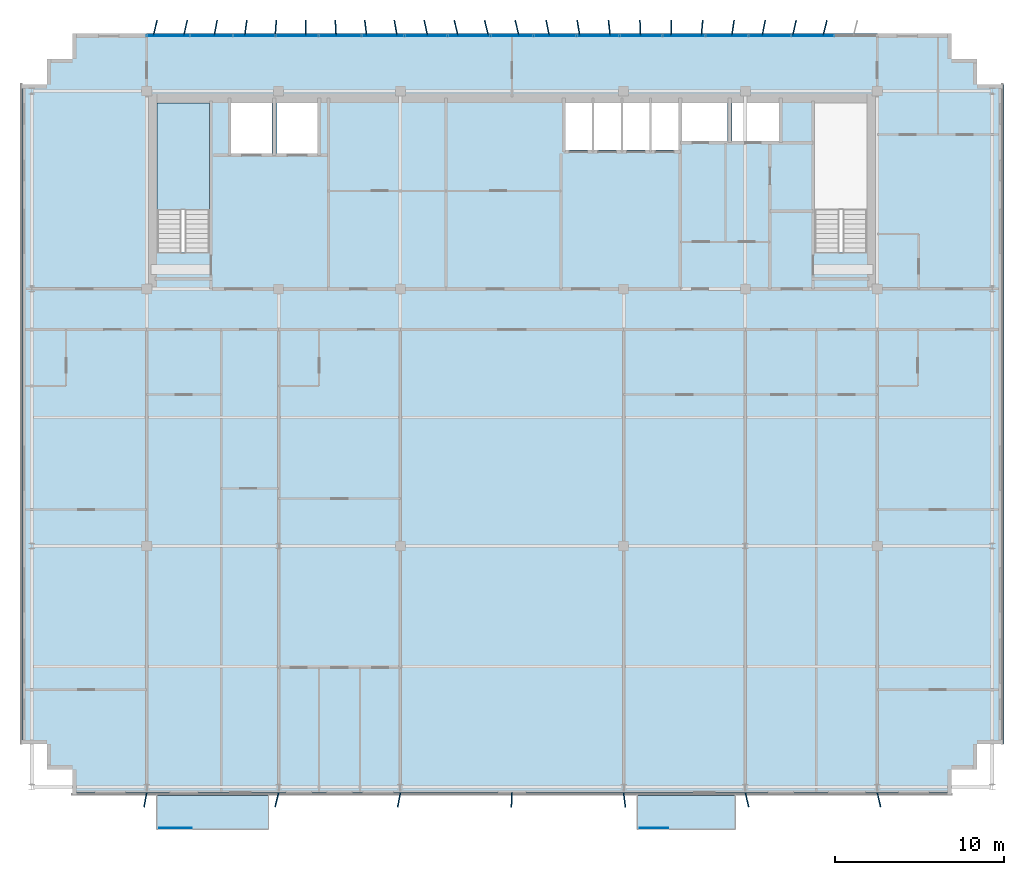
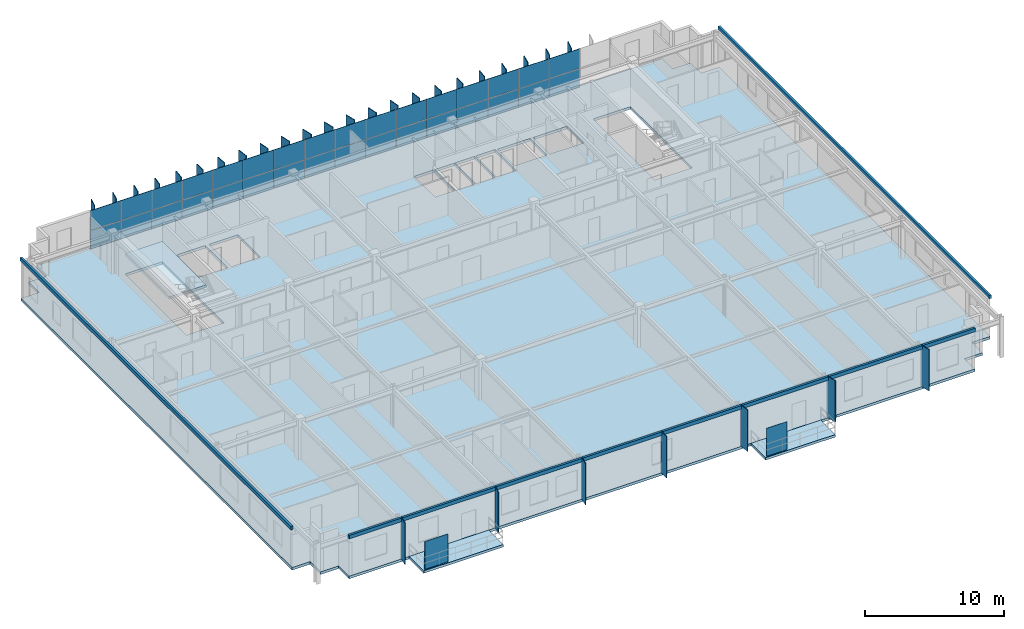
# One storey, part 15 of 22: 67 plates, 4 slabs, 2 elements without a shape of their own.
"""IFC4 building model written with IfcOpenShell, lengths in metres."""

from ifc_helpers import new_model, si_unit, direction, frame, origin, origin_2d, place, context, subcontext, project, spatial, polyline, rectangle, outline, extrude, source, transform, mapped, material, layer, layer_set, type_object, element, aggregate, save


model = new_model("IFC4")

# Units and contexts
model_context = context("Model", 3, precision=1e-05, world=origin(), true_north=direction((0.0, 1.0)))
body_context = subcontext(model_context, "Body", "Model", "MODEL_VIEW")
ifc_project = project(units=[si_unit("LENGTHUNIT", "METRE"), si_unit("AREAUNIT", "SQUARE_METRE"), si_unit("VOLUMEUNIT", "CUBIC_METRE"), si_unit("PLANEANGLEUNIT", "RADIAN"), si_unit("MASSUNIT", "GRAM", prefix="KILO")], contexts=[model_context])

# Site, building, storey
site_placement = place(None, origin())
site = spatial("IfcSite", under=ifc_project, at=site_placement, CompositionType="ELEMENT")
building_placement = place(site_placement, origin())
building = spatial("IfcBuilding", under=site, at=building_placement, Name="Trelvane Seafront Commons", CompositionType="ELEMENT")
storey_placement = place(building_placement, frame((0.0, 0.0, 270.300048828125)))
storey = spatial("IfcBuildingStorey", under=building, at=storey_placement, Name="L70", CompositionType="ELEMENT", Elevation=270.300048828125)

# Slabs
ifc_material_1 = material(Name="Concrete C40/50", Category="concrete")
ifc_layer_1 = layer(ifc_material_1, 0.219970703125, Name="ARCH-BALC-220")
ifc_layer_set_1 = layer_set([ifc_layer_1], Name="Concrete C40/50")
slab_type_1 = type_object("IfcSlabType", Name="ARCH-BALC-220", PredefinedType="FLOOR", material=ifc_layer_set_1)
slab_1_placement = place(storey_placement, frame((0.0, 0.0, -0.219970703125)))
element("IfcSlab", 1, at=slab_1_placement, inside=storey, type_object=slab_type_1, Name="L70 Cantilevered Tree Balcony Loggia 1", PredefinedType="FLOOR", context=body_context, shape_type="SweptSolid", body=[
    extrude(outline(polyline([(16.199951171875, 1.39990234375), (22.800048828125, 1.39990234375), (22.800048828125, 3.5), (16.199951171875, 3.5), (16.199951171875, 1.39990234375)])), origin(), (0.0, 0.0, 1.0), 0.219970703125),
])
slab_2_placement = place(storey_placement, frame((0.0, 0.0, -0.219970703125)))
element("IfcSlab", 2, at=slab_2_placement, inside=storey, type_object=slab_type_1, Name="L70 Cantilevered Tree Balcony Loggia 2", PredefinedType="FLOOR", context=body_context, shape_type="SweptSolid", body=[
    extrude(outline(polyline([(44.60009765625, 1.39990234375), (50.39990234375, 1.39990234375), (50.39990234375, 3.5), (44.60009765625, 3.5), (44.60009765625, 1.39990234375)])), origin(), (0.0, 0.0, 1.0), 0.219970703125),
])

# Stair, slab
stair_type = type_object("IfcStairType", Name="ARCH-STR-ST-1-R20-180", PredefinedType="HALF_TURN_STAIR", material=ifc_material_1)
stair_placement = place(storey_placement, origin())
stair = element("IfcStair", 3, at=stair_placement, inside=storey, type_object=stair_type, Name="L70 West Protected Firefighting Exit Stair ST-1", PredefinedType="HALF_TURN_STAIR")
ifc_layer_2 = layer(ifc_material_1, 0.199951171875, Name="ARCH-LND-200")
ifc_layer_set_2 = layer_set([ifc_layer_2], Name="Concrete C40/50")
slab_type_2 = type_object("IfcSlabType", Name="ARCH-LND-200", PredefinedType="LANDING", material=ifc_layer_set_2)
slab_3_placement = place(storey_placement, frame((0.0, 0.0, 1.599853515625)))
slab_3 = element("IfcSlab", 4, at=slab_3_placement, type_object=slab_type_2, Name="ST-1 landing 1", PredefinedType="LANDING", context=body_context, shape_type="SweptSolid", body=[
    extrude(outline(polyline([(19.300048828125, 38.070068359375), (19.300048828125, 44.39990234375), (16.199951171875, 44.39990234375), (16.199951171875, 38.070068359375), (19.300048828125, 38.070068359375)])), origin(), (0.0, 0.0, 1.0), 0.2001953125),
])
aggregate(stair, [slab_3])

# Slab
ifc_material_2 = material(Name="Concrete C50/60", Category="concrete")
ifc_layer_3 = layer(ifc_material_2, 0.22998046875, Name="STR-SLB-Z5-230")
ifc_layer_set_3 = layer_set([ifc_layer_3], Name="Concrete C50/60")
slab_type_3 = type_object("IfcSlabType", Name="STR-SLB-Z5-230", PredefinedType="FLOOR", material=ifc_layer_set_3)
slab_4_placement = place(storey_placement, frame((0.0, 0.0, -0.22998046875)))
element("IfcSlab", 5, at=slab_4_placement, inside=storey, type_object=slab_type_3, Name="L70 Structural Floor Slab", PredefinedType="FLOOR", context=body_context, shape_type="SweptSolid", body=[
    extrude(outline(polyline([(11.199951171875, 3.5), (63.199951171875, 3.5), (63.199951171875, 5.0), (64.699951171875, 5.0), (64.699951171875, 6.5), (66.199951171875, 6.5), (66.199951171875, 45.5), (64.699951171875, 45.5), (64.699951171875, 47.0), (63.199951171875, 47.0), (63.199951171875, 48.5), (11.199951171875, 48.5), (11.199951171875, 47.0), (9.699951171875, 47.0), (9.699951171875, 45.5), (8.199951171875, 45.5), (8.199951171875, 6.5), (9.699951171875, 6.5), (9.699951171875, 5.0), (11.199951171875, 5.0), (11.199951171875, 3.5)]), holes=[polyline([(19.300048828125, 35.550048828125), (16.199951171875, 35.550048828125), (16.199951171875, 44.39990234375), (19.300048828125, 44.39990234375), (19.300048828125, 35.550048828125)]), polyline([(58.199951171875, 35.550048828125), (55.10009765625, 35.550048828125), (55.10009765625, 44.39990234375), (58.199951171875, 44.39990234375), (58.199951171875, 35.550048828125)]), polyline([(23.0, 41.39990234375), (20.60009765625, 41.39990234375), (20.60009765625, 44.60009765625), (23.0, 44.60009765625), (23.0, 41.39990234375)]), polyline([(23.300048828125, 41.39990234375), (23.300048828125, 44.60009765625), (25.699951171875, 44.60009765625), (25.699951171875, 41.39990234375), (23.300048828125, 41.39990234375)]), polyline([(40.35009765625, 41.60009765625), (40.35009765625, 44.60009765625), (41.969970703125, 44.60009765625), (41.969970703125, 41.60009765625), (40.35009765625, 41.60009765625)]), polyline([(43.669921875, 41.60009765625), (42.050048828125, 41.60009765625), (42.050048828125, 44.60009765625), (43.669921875, 44.60009765625), (43.669921875, 41.60009765625)]), polyline([(45.3701171875, 41.60009765625), (43.75, 41.60009765625), (43.75, 44.60009765625), (45.3701171875, 44.60009765625), (45.3701171875, 41.60009765625)]), polyline([(47.070068359375, 41.60009765625), (45.449951171875, 41.60009765625), (45.449951171875, 44.60009765625), (47.070068359375, 44.60009765625), (47.070068359375, 41.60009765625)]), polyline([(47.25, 42.14990234375), (47.25, 44.550048828125), (49.949951171875, 44.550048828125), (49.949951171875, 42.14990234375), (47.25, 42.14990234375)]), polyline([(50.199951171875, 42.14990234375), (50.199951171875, 44.550048828125), (53.0, 44.550048828125), (53.0, 42.14990234375), (50.199951171875, 42.14990234375)])]), origin(), (0.0, 0.0, 1.0), 0.22998046875),
])

# Plates
ifc_material_3 = material(Name="Perforated anodised aluminium screen", Category="aluminium")
ifc_layer_4 = layer(ifc_material_3, 0.01611328125, Name="ARCH-PLATE-SCREEN")
ifc_layer_set_4 = layer_set([ifc_layer_4], Name="Perforated anodised aluminium screen")
plate_type_1 = type_object("IfcPlateType", Name="ARCH-PLATE-SCREEN", PredefinedType="USERDEFINED", material=ifc_layer_set_4)
shared_shape_1 = source(origin(), body_context, "Body", "SweptSolid", [
    extrude(rectangle(XDim=1.9140625, YDim=0.01611328125, at=origin_2d()), origin(), (0.0, 0.0, 1.0), 2.449951171875),
])
plate_1_placement = place(storey_placement, frame((17.306884765625, 1.52001953125, 0.0), z_axis=(0.0, 0.0, 1.0), x_axis=(1.0, 0.0, 0.0)))
element("IfcPlate", 6, at=plate_1_placement, inside=storey, type_object=plate_type_1, Name="SCR-L70-00243", ObjectType="SCREEN", PredefinedType="USERDEFINED", context=body_context, shape_type="MappedRepresentation", body=[
    mapped(shared_shape_1, transform((0.0, 0.0, 0.0), x_axis=(1.0, 0.0, 0.0), y_axis=(0.0, 1.0, 0.0), z_axis=(0.0, 0.0, 1.0), scale=1.0)),
])
shared_shape_2 = source(origin(), body_context, "Body", "SweptSolid", [
    extrude(rectangle(XDim=1.681884765625, YDim=0.01611328125, at=origin_2d()), origin(), (0.0, 0.0, 1.0), 2.449951171875),
])
plate_2_placement = place(storey_placement, frame((45.591064453125, 1.52001953125, 0.0), z_axis=(0.0, 0.0, 1.0), x_axis=(1.0, 0.0, 0.0)))
element("IfcPlate", 7, at=plate_2_placement, inside=storey, type_object=plate_type_1, Name="SCR-L70-00244", ObjectType="SCREEN", PredefinedType="USERDEFINED", context=body_context, shape_type="MappedRepresentation", body=[
    mapped(shared_shape_2, transform((0.0, 0.0, 0.0), x_axis=(1.0, 0.0, 0.0), y_axis=(0.0, 1.0, 0.0), z_axis=(0.0, 0.0, 1.0), scale=1.0)),
])
ifc_material_4 = material(Name="Anodised pale-silver aluminium", Category="aluminium")
ifc_layer_5 = layer(ifc_material_4, 0.06005859375, Name="ARCH-PLATE-FIN900")
ifc_layer_set_5 = layer_set([ifc_layer_5], Name="Anodised pale-silver aluminium")
plate_type_2 = type_object("IfcPlateType", Name="ARCH-PLATE-FIN900", PredefinedType="USERDEFINED", material=ifc_layer_set_5)
shared_shape_3 = source(origin(), body_context, "Body", "SweptSolid", [
    extrude(rectangle(XDim=0.89990234375, YDim=0.06005859375, at=origin_2d()), origin(), (0.0, 0.0, 1.0), 3.639892578125),
])
for number, where, z_axis, x_axis, name in (
    (8, (16.107421875, 48.8369140625, -0.02001953125), (0.0, 0.0, 1.0), (0.238769048477, 0.971076382933, 0.0), "FIN-L70-01942"),
    (9, (17.898681640625, 48.839111328125, -0.02001953125), (0.0, 0.0, 1.0), (0.219670830017, 0.975574049696, 0.0), "FIN-L70-01943"),
    (10, (19.682861328125, 48.84228515625, -0.02001953125), (0.0, 0.0, 1.0), (0.184328757123, 0.982864644444, 0.0), "FIN-L70-01944"),
    (11, (21.4609375, 48.845703125, -0.02001953125), (0.0, 0.0, 1.0), (0.135227926921, 0.990814517345, 0.0), "FIN-L70-01945"),
    (12, (23.23388671875, 48.8486328125, -0.02001953125), (0.0, 0.0, 1.0), (0.075667913751, 0.997133073781, 0.0), "FIN-L70-01946"),
    (13, (25.004638671875, 48.85009765625, -0.02001953125), (0.0, 0.0, 1.0), (0.010222215394, 0.999947751791, 0.0), "FIN-L70-01947"),
    (14, (26.77490234375, 48.849365234375, -0.02001953125), (0.0, 0.0, 1.0), (-0.055999250111, 0.998430810816, 0.0), "FIN-L70-01948"),
    (15, (28.547119140625, 48.846923828125, -0.02001953125), (0.0, 0.0, 1.0), (-0.117781779528, 0.993039501939, 0.0), "FIN-L70-01949"),
    (16, (30.3232421875, 48.843505859375, -0.02001953125), (0.0, 0.0, 1.0), (-0.170558620305, 0.985347531097, 0.0), "FIN-L70-01950"),
    (17, (32.105224609375, 48.83984375, -0.02001953125), (0.0, 0.0, 1.0), (-0.210454697452, 0.977603611041, 0.0), "FIN-L70-01951"),
    (18, (35.691162109375, 48.836669921875, -0.02001953125), (0.0, 0.0, 1.0), (-0.241881251735, 0.970305859025, 0.0), "FIN-L70-01953"),
    (19, (37.495849609375, 48.837890625, -0.02001953125), (0.0, 0.0, 1.0), (-0.231330219854, 0.972875289738, 0.0), "FIN-L70-01954"),
    (20, (39.308349609375, 48.840576171875, -0.02001953125), (0.0, 0.0, 1.0), (-0.203887805671, 0.97899426081, 0.0), "FIN-L70-01955"),
    (21, (41.12744140625, 48.843994140625, -0.02001953125), (0.0, 0.0, 1.0), (-0.161335122565, 0.98689967992, 0.0), "FIN-L70-01956"),
    (22, (42.9521484375, 48.847412109375, -0.02001953125), (0.0, 0.0, 1.0), (-0.10644282067, 0.99431882509, 0.0), "FIN-L70-01957"),
    (23, (44.780517578125, 48.849609375, -0.02001953125), (0.0, 0.0, 1.0), (-0.04344153253, 0.99905597103, 0.0), "FIN-L70-01958"),
    (24, (46.6103515625, 48.849853515625, -0.02001953125), (0.0, 0.0, 1.0), (0.023109592502, 0.999732937706, 0.0), "FIN-L70-01959"),
    (25, (48.439453125, 48.848388671875, -0.02001953125), (0.0, 0.0, 1.0), (0.0877799145, 0.996139893093, 0.0), "FIN-L70-01960"),
    (26, (50.265380859375, 48.84521484375, -0.02001953125), (0.0, 0.0, 1.0), (0.145558119819, 0.989349702459, 0.0), "FIN-L70-01961"),
    (27, (52.086669921875, 48.841552734375, -0.02001953125), (0.0, 0.0, 1.0), (0.192331855568, 0.981329943156, 0.0), "FIN-L70-01962"),
    (28, (53.901123046875, 48.83837890625, -0.02001953125), (0.0, 0.0, 1.0), (0.224665344453, 0.974435981993, 0.0), "FIN-L70-01963"),
    (29, (55.708251953125, 48.8369140625, -0.02001953125), (0.0, 0.0, 1.0), (0.240443202498, 0.970663209549, 0.0), "FIN-L70-01964"),
):
    element("IfcPlate", number, at=place(storey_placement, frame(where, z_axis=z_axis, x_axis=x_axis)), inside=storey, type_object=plate_type_2, Name=name, ObjectType="FIN", PredefinedType="USERDEFINED", context=body_context, shape_type="MappedRepresentation", body=[
        mapped(shared_shape_3, transform((0.0, 0.0, 0.0), x_axis=(1.0, 0.0, 0.0), y_axis=(0.0, 1.0, 0.0), z_axis=(0.0, 0.0, 1.0), scale=1.0)),
    ])
shared_shape_4 = source(origin(), body_context, "Body", "SweptSolid", [
    extrude(rectangle(XDim=0.900146484375, YDim=0.06005859375, at=origin_2d()), origin(), (0.0, 0.0, 1.0), 3.639892578125),
])
plate_3_placement = place(storey_placement, frame((33.894287109375, 48.83740234375, -0.02001953125), z_axis=(0.0, 0.0, 1.0), x_axis=(-0.234763799894, 0.972052446249, 0.0)))
element("IfcPlate", 30, at=plate_3_placement, inside=storey, type_object=plate_type_2, Name="FIN-L70-01952", ObjectType="FIN", PredefinedType="USERDEFINED", context=body_context, shape_type="MappedRepresentation", body=[
    mapped(shared_shape_4, transform((0.0, 0.0, 0.0), x_axis=(1.0, 0.0, 0.0), y_axis=(0.0, 1.0, 0.0), z_axis=(0.0, 0.0, 1.0), scale=1.0)),
])
shared_shape_5 = source(origin(), body_context, "Body", "SweptSolid", [
    extrude(rectangle(XDim=0.85009765625, YDim=0.06005859375, at=origin_2d()), origin(), (0.0, 0.0, 1.0), 3.639892578125),
])
for number, where, z_axis, x_axis, name in (
    (31, (15.521484375, 3.182373046875, -0.02001953125), (0.0, 0.0, 1.0), (-0.184586064165, -0.982816353606, 0.0), "FIN-S-L70-01966"),
    (32, (23.297119140625, 3.1875, -0.02001953125), (0.0, 0.0, 1.0), (-0.241871090703, -0.970308391947, 0.0), "FIN-S-L70-01967"),
    (33, (30.5205078125, 3.1826171875, -0.02001953125), (0.0, 0.0, 1.0), (-0.187057280024, -0.98234900824, 0.0), "FIN-S-L70-01968"),
    (34, (37.181640625, 3.17529296875, -0.02001953125), (0.0, 0.0, 1.0), (-0.043411889924, -0.999057259527, 0.0), "FIN-S-L70-01969"),
    (35, (43.8515625, 3.17822265625, -0.02001953125), (0.0, 0.0, 1.0), (0.121413730466, -0.992601987734, 0.0), "FIN-S-L70-01970"),
    (36, (51.0966796875, 3.186279296875, -0.02001953125), (0.0, 0.0, 1.0), (0.227530067869, -0.973771055339, 0.0), "FIN-S-L70-01971"),
    (37, (58.896728515625, 3.186279296875, -0.02001953125), (0.0, 0.0, 1.0), (0.227530067869, -0.973771055339, 0.0), "FIN-S-L70-01972"),
):
    element("IfcPlate", number, at=place(storey_placement, frame(where, z_axis=z_axis, x_axis=x_axis)), inside=storey, type_object=plate_type_2, Name=name, ObjectType="FIN", PredefinedType="USERDEFINED", context=body_context, shape_type="MappedRepresentation", body=[
        mapped(shared_shape_5, transform((0.0, 0.0, 0.0), x_axis=(1.0, 0.0, 0.0), y_axis=(0.0, 1.0, 0.0), z_axis=(0.0, 0.0, 1.0), scale=1.0)),
    ])

# Curtain wall, plates
curtain_wall_type = type_object("IfcCurtainWallType", Name="ARCH-CW5-UPTOWER", PredefinedType="NOTDEFINED", material=ifc_material_4)
curtain_wall_placement = place(storey_placement, origin())
curtain_wall = element("IfcCurtainWall", 38, at=curtain_wall_placement, inside=storey, type_object=curtain_wall_type, Name="CW-L70-0114", PredefinedType="NOTDEFINED")
ifc_material_5 = material(Name="Low-E coastal double glazing", Category="glass")
ifc_layer_6 = layer(ifc_material_5, 0.033935546875, Name="ARCH-CW-GLAZ-34")
ifc_layer_set_6 = layer_set([ifc_layer_6], Name="Low-E coastal double glazing")
plate_type_3 = type_object("IfcPlateType", Name="ARCH-CW-GLAZ-34", PredefinedType="CURTAIN_PANEL", material=ifc_layer_set_6)
shared_shape_6 = source(origin(), body_context, "Body", "SweptSolid", [
    extrude(rectangle(XDim=2.51708984375, YDim=0.033935546875, at=origin_2d()), origin(), (0.0, 0.0, 1.0), 1.60009765625),
])
plate_4_placement = place(storey_placement, frame((16.87060546875, 48.3701171875, 0.0), z_axis=(0.0, 0.0, 1.0), x_axis=(1.0, 0.0, 0.0)))
plate_4 = element("IfcPlate", 39, at=plate_4_placement, type_object=plate_type_3, Name="CW-L70-0114-P00-1", PredefinedType="CURTAIN_PANEL", context=body_context, shape_type="MappedRepresentation", body=[
    mapped(shared_shape_6, transform((0.0, 0.0, 0.0), x_axis=(1.0, 0.0, 0.0), y_axis=(0.0, 1.0, 0.0), z_axis=(0.0, 0.0, 1.0), scale=1.0)),
])
plate_5_placement = place(storey_placement, frame((19.411865234375, 48.3701171875, 0.0), z_axis=(0.0, 0.0, 1.0), x_axis=(1.0, 0.0, 0.0)))
plate_5 = element("IfcPlate", 40, at=plate_5_placement, type_object=plate_type_3, Name="CW-L70-0114-P01-1", PredefinedType="CURTAIN_PANEL", context=body_context, shape_type="MappedRepresentation", body=[
    mapped(shared_shape_6, transform((0.0, 0.0, 0.0), x_axis=(1.0, 0.0, 0.0), y_axis=(0.0, 1.0, 0.0), z_axis=(0.0, 0.0, 1.0), scale=1.0)),
])
plate_6_placement = place(storey_placement, frame((21.952880859375, 48.3701171875, 0.0), z_axis=(0.0, 0.0, 1.0), x_axis=(1.0, 0.0, 0.0)))
plate_6 = element("IfcPlate", 41, at=plate_6_placement, type_object=plate_type_3, Name="CW-L70-0114-P02-1", PredefinedType="CURTAIN_PANEL", context=body_context, shape_type="MappedRepresentation", body=[
    mapped(shared_shape_6, transform((0.0, 0.0, 0.0), x_axis=(1.0, 0.0, 0.0), y_axis=(0.0, 1.0, 0.0), z_axis=(0.0, 0.0, 1.0), scale=1.0)),
])
plate_7_placement = place(storey_placement, frame((24.494140625, 48.3701171875, 0.0), z_axis=(0.0, 0.0, 1.0), x_axis=(1.0, 0.0, 0.0)))
plate_7 = element("IfcPlate", 42, at=plate_7_placement, type_object=plate_type_3, Name="CW-L70-0114-P03-1", PredefinedType="CURTAIN_PANEL", context=body_context, shape_type="MappedRepresentation", body=[
    mapped(shared_shape_6, transform((0.0, 0.0, 0.0), x_axis=(1.0, 0.0, 0.0), y_axis=(0.0, 1.0, 0.0), z_axis=(0.0, 0.0, 1.0), scale=1.0)),
])
plate_8_placement = place(storey_placement, frame((27.035400390625, 48.3701171875, 0.0), z_axis=(0.0, 0.0, 1.0), x_axis=(1.0, 0.0, 0.0)))
plate_8 = element("IfcPlate", 43, at=plate_8_placement, type_object=plate_type_3, Name="CW-L70-0114-P04-1", PredefinedType="CURTAIN_PANEL", context=body_context, shape_type="MappedRepresentation", body=[
    mapped(shared_shape_6, transform((0.0, 0.0, 0.0), x_axis=(1.0, 0.0, 0.0), y_axis=(0.0, 1.0, 0.0), z_axis=(0.0, 0.0, 1.0), scale=1.0)),
])
plate_9_placement = place(storey_placement, frame((29.576416015625, 48.3701171875, 0.0), z_axis=(0.0, 0.0, 1.0), x_axis=(1.0, 0.0, 0.0)))
plate_9 = element("IfcPlate", 44, at=plate_9_placement, type_object=plate_type_3, Name="CW-L70-0114-P05-1", PredefinedType="CURTAIN_PANEL", context=body_context, shape_type="MappedRepresentation", body=[
    mapped(shared_shape_6, transform((0.0, 0.0, 0.0), x_axis=(1.0, 0.0, 0.0), y_axis=(0.0, 1.0, 0.0), z_axis=(0.0, 0.0, 1.0), scale=1.0)),
])
plate_10_placement = place(storey_placement, frame((32.11767578125, 48.3701171875, 0.0), z_axis=(0.0, 0.0, 1.0), x_axis=(1.0, 0.0, 0.0)))
plate_10 = element("IfcPlate", 45, at=plate_10_placement, type_object=plate_type_3, Name="CW-L70-0114-P06-1", PredefinedType="CURTAIN_PANEL", context=body_context, shape_type="MappedRepresentation", body=[
    mapped(shared_shape_6, transform((0.0, 0.0, 0.0), x_axis=(1.0, 0.0, 0.0), y_axis=(0.0, 1.0, 0.0), z_axis=(0.0, 0.0, 1.0), scale=1.0)),
])
plate_11_placement = place(storey_placement, frame((34.65869140625, 48.3701171875, 0.0), z_axis=(0.0, 0.0, 1.0), x_axis=(1.0, 0.0, 0.0)))
plate_11 = element("IfcPlate", 46, at=plate_11_placement, type_object=plate_type_3, Name="CW-L70-0114-P07-1", PredefinedType="CURTAIN_PANEL", context=body_context, shape_type="MappedRepresentation", body=[
    mapped(shared_shape_6, transform((0.0, 0.0, 0.0), x_axis=(1.0, 0.0, 0.0), y_axis=(0.0, 1.0, 0.0), z_axis=(0.0, 0.0, 1.0), scale=1.0)),
])
plate_12_placement = place(storey_placement, frame((37.199951171875, 48.3701171875, 0.0), z_axis=(0.0, 0.0, 1.0), x_axis=(1.0, 0.0, 0.0)))
plate_12 = element("IfcPlate", 47, at=plate_12_placement, type_object=plate_type_3, Name="CW-L70-0114-P08-1", PredefinedType="CURTAIN_PANEL", context=body_context, shape_type="MappedRepresentation", body=[
    mapped(shared_shape_6, transform((0.0, 0.0, 0.0), x_axis=(1.0, 0.0, 0.0), y_axis=(0.0, 1.0, 0.0), z_axis=(0.0, 0.0, 1.0), scale=1.0)),
])
plate_13_placement = place(storey_placement, frame((39.7412109375, 48.3701171875, 0.0), z_axis=(0.0, 0.0, 1.0), x_axis=(1.0, 0.0, 0.0)))
plate_13 = element("IfcPlate", 48, at=plate_13_placement, type_object=plate_type_3, Name="CW-L70-0114-P09-1", PredefinedType="CURTAIN_PANEL", context=body_context, shape_type="MappedRepresentation", body=[
    mapped(shared_shape_6, transform((0.0, 0.0, 0.0), x_axis=(1.0, 0.0, 0.0), y_axis=(0.0, 1.0, 0.0), z_axis=(0.0, 0.0, 1.0), scale=1.0)),
])
plate_14_placement = place(storey_placement, frame((42.282470703125, 48.3701171875, 0.0), z_axis=(0.0, 0.0, 1.0), x_axis=(1.0, 0.0, 0.0)))
plate_14 = element("IfcPlate", 49, at=plate_14_placement, type_object=plate_type_3, Name="CW-L70-0114-P10-1", PredefinedType="CURTAIN_PANEL", context=body_context, shape_type="MappedRepresentation", body=[
    mapped(shared_shape_6, transform((0.0, 0.0, 0.0), x_axis=(1.0, 0.0, 0.0), y_axis=(0.0, 1.0, 0.0), z_axis=(0.0, 0.0, 1.0), scale=1.0)),
])
plate_15_placement = place(storey_placement, frame((44.823486328125, 48.3701171875, 0.0), z_axis=(0.0, 0.0, 1.0), x_axis=(1.0, 0.0, 0.0)))
plate_15 = element("IfcPlate", 50, at=plate_15_placement, type_object=plate_type_3, Name="CW-L70-0114-P11-1", PredefinedType="CURTAIN_PANEL", context=body_context, shape_type="MappedRepresentation", body=[
    mapped(shared_shape_6, transform((0.0, 0.0, 0.0), x_axis=(1.0, 0.0, 0.0), y_axis=(0.0, 1.0, 0.0), z_axis=(0.0, 0.0, 1.0), scale=1.0)),
])
plate_16_placement = place(storey_placement, frame((47.36474609375, 48.3701171875, 0.0), z_axis=(0.0, 0.0, 1.0), x_axis=(1.0, 0.0, 0.0)))
plate_16 = element("IfcPlate", 51, at=plate_16_placement, type_object=plate_type_3, Name="CW-L70-0114-P12-1", PredefinedType="CURTAIN_PANEL", context=body_context, shape_type="MappedRepresentation", body=[
    mapped(shared_shape_6, transform((0.0, 0.0, 0.0), x_axis=(1.0, 0.0, 0.0), y_axis=(0.0, 1.0, 0.0), z_axis=(0.0, 0.0, 1.0), scale=1.0)),
])
plate_17_placement = place(storey_placement, frame((49.906005859375, 48.3701171875, 0.0), z_axis=(0.0, 0.0, 1.0), x_axis=(1.0, 0.0, 0.0)))
plate_17 = element("IfcPlate", 52, at=plate_17_placement, type_object=plate_type_3, Name="CW-L70-0114-P13-1", PredefinedType="CURTAIN_PANEL", context=body_context, shape_type="MappedRepresentation", body=[
    mapped(shared_shape_6, transform((0.0, 0.0, 0.0), x_axis=(1.0, 0.0, 0.0), y_axis=(0.0, 1.0, 0.0), z_axis=(0.0, 0.0, 1.0), scale=1.0)),
])
plate_18_placement = place(storey_placement, frame((52.447021484375, 48.3701171875, 0.0), z_axis=(0.0, 0.0, 1.0), x_axis=(1.0, 0.0, 0.0)))
plate_18 = element("IfcPlate", 53, at=plate_18_placement, type_object=plate_type_3, Name="CW-L70-0114-P14-1", PredefinedType="CURTAIN_PANEL", context=body_context, shape_type="MappedRepresentation", body=[
    mapped(shared_shape_6, transform((0.0, 0.0, 0.0), x_axis=(1.0, 0.0, 0.0), y_axis=(0.0, 1.0, 0.0), z_axis=(0.0, 0.0, 1.0), scale=1.0)),
])
plate_19_placement = place(storey_placement, frame((54.98828125, 48.3701171875, 0.0), z_axis=(0.0, 0.0, 1.0), x_axis=(1.0, 0.0, 0.0)))
plate_19 = element("IfcPlate", 54, at=plate_19_placement, type_object=plate_type_3, Name="CW-L70-0114-P15-1", PredefinedType="CURTAIN_PANEL", context=body_context, shape_type="MappedRepresentation", body=[
    mapped(shared_shape_6, transform((0.0, 0.0, 0.0), x_axis=(1.0, 0.0, 0.0), y_axis=(0.0, 1.0, 0.0), z_axis=(0.0, 0.0, 1.0), scale=1.0)),
])
shared_shape_7 = source(origin(), body_context, "Body", "SweptSolid", [
    extrude(rectangle(XDim=2.51708984375, YDim=0.033935546875, at=origin_2d()), origin(), (0.0, 0.0, 1.0), 1.73388671875),
])
plate_20_placement = place(storey_placement, frame((16.87060546875, 48.3701171875, 1.635986328125), z_axis=(0.0, 0.0, 1.0), x_axis=(1.0, 0.0, 0.0)))
plate_20 = element("IfcPlate", 55, at=plate_20_placement, type_object=plate_type_3, Name="CW-L70-0114-P00-2", PredefinedType="CURTAIN_PANEL", context=body_context, shape_type="MappedRepresentation", body=[
    mapped(shared_shape_7, transform((0.0, 0.0, 0.0), x_axis=(1.0, 0.0, 0.0), y_axis=(0.0, 1.0, 0.0), z_axis=(0.0, 0.0, 1.0), scale=1.0)),
])
plate_21_placement = place(storey_placement, frame((19.411865234375, 48.3701171875, 1.635986328125), z_axis=(0.0, 0.0, 1.0), x_axis=(1.0, 0.0, 0.0)))
plate_21 = element("IfcPlate", 56, at=plate_21_placement, type_object=plate_type_3, Name="CW-L70-0114-P01-2", PredefinedType="CURTAIN_PANEL", context=body_context, shape_type="MappedRepresentation", body=[
    mapped(shared_shape_7, transform((0.0, 0.0, 0.0), x_axis=(1.0, 0.0, 0.0), y_axis=(0.0, 1.0, 0.0), z_axis=(0.0, 0.0, 1.0), scale=1.0)),
])
plate_22_placement = place(storey_placement, frame((21.952880859375, 48.3701171875, 1.635986328125), z_axis=(0.0, 0.0, 1.0), x_axis=(1.0, 0.0, 0.0)))
plate_22 = element("IfcPlate", 57, at=plate_22_placement, type_object=plate_type_3, Name="CW-L70-0114-P02-2", PredefinedType="CURTAIN_PANEL", context=body_context, shape_type="MappedRepresentation", body=[
    mapped(shared_shape_7, transform((0.0, 0.0, 0.0), x_axis=(1.0, 0.0, 0.0), y_axis=(0.0, 1.0, 0.0), z_axis=(0.0, 0.0, 1.0), scale=1.0)),
])
plate_23_placement = place(storey_placement, frame((24.494140625, 48.3701171875, 1.635986328125), z_axis=(0.0, 0.0, 1.0), x_axis=(1.0, 0.0, 0.0)))
plate_23 = element("IfcPlate", 58, at=plate_23_placement, type_object=plate_type_3, Name="CW-L70-0114-P03-2", PredefinedType="CURTAIN_PANEL", context=body_context, shape_type="MappedRepresentation", body=[
    mapped(shared_shape_7, transform((0.0, 0.0, 0.0), x_axis=(1.0, 0.0, 0.0), y_axis=(0.0, 1.0, 0.0), z_axis=(0.0, 0.0, 1.0), scale=1.0)),
])
plate_24_placement = place(storey_placement, frame((27.035400390625, 48.3701171875, 1.635986328125), z_axis=(0.0, 0.0, 1.0), x_axis=(1.0, 0.0, 0.0)))
plate_24 = element("IfcPlate", 59, at=plate_24_placement, type_object=plate_type_3, Name="CW-L70-0114-P04-2", PredefinedType="CURTAIN_PANEL", context=body_context, shape_type="MappedRepresentation", body=[
    mapped(shared_shape_7, transform((0.0, 0.0, 0.0), x_axis=(1.0, 0.0, 0.0), y_axis=(0.0, 1.0, 0.0), z_axis=(0.0, 0.0, 1.0), scale=1.0)),
])
plate_25_placement = place(storey_placement, frame((29.576416015625, 48.3701171875, 1.635986328125), z_axis=(0.0, 0.0, 1.0), x_axis=(1.0, 0.0, 0.0)))
plate_25 = element("IfcPlate", 60, at=plate_25_placement, type_object=plate_type_3, Name="CW-L70-0114-P05-2", PredefinedType="CURTAIN_PANEL", context=body_context, shape_type="MappedRepresentation", body=[
    mapped(shared_shape_7, transform((0.0, 0.0, 0.0), x_axis=(1.0, 0.0, 0.0), y_axis=(0.0, 1.0, 0.0), z_axis=(0.0, 0.0, 1.0), scale=1.0)),
])
plate_26_placement = place(storey_placement, frame((32.11767578125, 48.3701171875, 1.635986328125), z_axis=(0.0, 0.0, 1.0), x_axis=(1.0, 0.0, 0.0)))
plate_26 = element("IfcPlate", 61, at=plate_26_placement, type_object=plate_type_3, Name="CW-L70-0114-P06-2", PredefinedType="CURTAIN_PANEL", context=body_context, shape_type="MappedRepresentation", body=[
    mapped(shared_shape_7, transform((0.0, 0.0, 0.0), x_axis=(1.0, 0.0, 0.0), y_axis=(0.0, 1.0, 0.0), z_axis=(0.0, 0.0, 1.0), scale=1.0)),
])
plate_27_placement = place(storey_placement, frame((34.65869140625, 48.3701171875, 1.635986328125), z_axis=(0.0, 0.0, 1.0), x_axis=(1.0, 0.0, 0.0)))
plate_27 = element("IfcPlate", 62, at=plate_27_placement, type_object=plate_type_3, Name="CW-L70-0114-P07-2", PredefinedType="CURTAIN_PANEL", context=body_context, shape_type="MappedRepresentation", body=[
    mapped(shared_shape_7, transform((0.0, 0.0, 0.0), x_axis=(1.0, 0.0, 0.0), y_axis=(0.0, 1.0, 0.0), z_axis=(0.0, 0.0, 1.0), scale=1.0)),
])
plate_28_placement = place(storey_placement, frame((37.199951171875, 48.3701171875, 1.635986328125), z_axis=(0.0, 0.0, 1.0), x_axis=(1.0, 0.0, 0.0)))
plate_28 = element("IfcPlate", 63, at=plate_28_placement, type_object=plate_type_3, Name="CW-L70-0114-P08-2", PredefinedType="CURTAIN_PANEL", context=body_context, shape_type="MappedRepresentation", body=[
    mapped(shared_shape_7, transform((0.0, 0.0, 0.0), x_axis=(1.0, 0.0, 0.0), y_axis=(0.0, 1.0, 0.0), z_axis=(0.0, 0.0, 1.0), scale=1.0)),
])
plate_29_placement = place(storey_placement, frame((39.7412109375, 48.3701171875, 1.635986328125), z_axis=(0.0, 0.0, 1.0), x_axis=(1.0, 0.0, 0.0)))
plate_29 = element("IfcPlate", 64, at=plate_29_placement, type_object=plate_type_3, Name="CW-L70-0114-P09-2", PredefinedType="CURTAIN_PANEL", context=body_context, shape_type="MappedRepresentation", body=[
    mapped(shared_shape_7, transform((0.0, 0.0, 0.0), x_axis=(1.0, 0.0, 0.0), y_axis=(0.0, 1.0, 0.0), z_axis=(0.0, 0.0, 1.0), scale=1.0)),
])
plate_30_placement = place(storey_placement, frame((42.282470703125, 48.3701171875, 1.635986328125), z_axis=(0.0, 0.0, 1.0), x_axis=(1.0, 0.0, 0.0)))
plate_30 = element("IfcPlate", 65, at=plate_30_placement, type_object=plate_type_3, Name="CW-L70-0114-P10-2", PredefinedType="CURTAIN_PANEL", context=body_context, shape_type="MappedRepresentation", body=[
    mapped(shared_shape_7, transform((0.0, 0.0, 0.0), x_axis=(1.0, 0.0, 0.0), y_axis=(0.0, 1.0, 0.0), z_axis=(0.0, 0.0, 1.0), scale=1.0)),
])
plate_31_placement = place(storey_placement, frame((44.823486328125, 48.3701171875, 1.635986328125), z_axis=(0.0, 0.0, 1.0), x_axis=(1.0, 0.0, 0.0)))
plate_31 = element("IfcPlate", 66, at=plate_31_placement, type_object=plate_type_3, Name="CW-L70-0114-P11-2", PredefinedType="CURTAIN_PANEL", context=body_context, shape_type="MappedRepresentation", body=[
    mapped(shared_shape_7, transform((0.0, 0.0, 0.0), x_axis=(1.0, 0.0, 0.0), y_axis=(0.0, 1.0, 0.0), z_axis=(0.0, 0.0, 1.0), scale=1.0)),
])
plate_32_placement = place(storey_placement, frame((47.36474609375, 48.3701171875, 1.635986328125), z_axis=(0.0, 0.0, 1.0), x_axis=(1.0, 0.0, 0.0)))
plate_32 = element("IfcPlate", 67, at=plate_32_placement, type_object=plate_type_3, Name="CW-L70-0114-P12-2", PredefinedType="CURTAIN_PANEL", context=body_context, shape_type="MappedRepresentation", body=[
    mapped(shared_shape_7, transform((0.0, 0.0, 0.0), x_axis=(1.0, 0.0, 0.0), y_axis=(0.0, 1.0, 0.0), z_axis=(0.0, 0.0, 1.0), scale=1.0)),
])
plate_33_placement = place(storey_placement, frame((49.906005859375, 48.3701171875, 1.635986328125), z_axis=(0.0, 0.0, 1.0), x_axis=(1.0, 0.0, 0.0)))
plate_33 = element("IfcPlate", 68, at=plate_33_placement, type_object=plate_type_3, Name="CW-L70-0114-P13-2", PredefinedType="CURTAIN_PANEL", context=body_context, shape_type="MappedRepresentation", body=[
    mapped(shared_shape_7, transform((0.0, 0.0, 0.0), x_axis=(1.0, 0.0, 0.0), y_axis=(0.0, 1.0, 0.0), z_axis=(0.0, 0.0, 1.0), scale=1.0)),
])
plate_34_placement = place(storey_placement, frame((52.447021484375, 48.3701171875, 1.635986328125), z_axis=(0.0, 0.0, 1.0), x_axis=(1.0, 0.0, 0.0)))
plate_34 = element("IfcPlate", 69, at=plate_34_placement, type_object=plate_type_3, Name="CW-L70-0114-P14-2", PredefinedType="CURTAIN_PANEL", context=body_context, shape_type="MappedRepresentation", body=[
    mapped(shared_shape_7, transform((0.0, 0.0, 0.0), x_axis=(1.0, 0.0, 0.0), y_axis=(0.0, 1.0, 0.0), z_axis=(0.0, 0.0, 1.0), scale=1.0)),
])
plate_35_placement = place(storey_placement, frame((54.98828125, 48.3701171875, 1.635986328125), z_axis=(0.0, 0.0, 1.0), x_axis=(1.0, 0.0, 0.0)))
plate_35 = element("IfcPlate", 70, at=plate_35_placement, type_object=plate_type_3, Name="CW-L70-0114-P15-2", PredefinedType="CURTAIN_PANEL", context=body_context, shape_type="MappedRepresentation", body=[
    mapped(shared_shape_7, transform((0.0, 0.0, 0.0), x_axis=(1.0, 0.0, 0.0), y_axis=(0.0, 1.0, 0.0), z_axis=(0.0, 0.0, 1.0), scale=1.0)),
])
aggregate(curtain_wall, [plate_4, plate_20, plate_5, plate_21, plate_6, plate_22, plate_7, plate_23, plate_8, plate_24, plate_9, plate_25, plate_10, plate_26, plate_11, plate_27, plate_12, plate_28, plate_13, plate_29, plate_14, plate_30, plate_15, plate_31, plate_16, plate_32, plate_17, plate_33, plate_18, plate_34, plate_19, plate_35])

# Plates
ifc_layer_7 = layer(ifc_material_4, 0.179931640625, Name="ARCH-PLATE-AERO")
ifc_layer_set_7 = layer_set([ifc_layer_7], Name="Anodised pale-silver aluminium")
plate_type_4 = type_object("IfcPlateType", Name="ARCH-PLATE-AERO", PredefinedType="SHEET", material=ifc_layer_set_7)
shared_shape_8 = source(origin(), body_context, "Body", "SweptSolid", [
    extrude(rectangle(XDim=39.0, YDim=0.179931640625, at=origin_2d()), origin(), (0.0, 0.0, 1.0), 0.31005859375),
])
for number, where, z_axis, x_axis, name in (
    (71, (8.199951171875, 26.0, 3.309814453125), (0.0, 0.0, 1.0), (0.0, 1.0, 0.0), "AER-L70-00241"),
    (72, (66.199951171875, 26.0, 3.309814453125), (0.0, 0.0, 1.0), (0.0, -1.0, 0.0), "AER-L70-00242"),
):
    element("IfcPlate", number, at=place(storey_placement, frame(where, z_axis=z_axis, x_axis=x_axis)), inside=storey, type_object=plate_type_4, Name=name, PredefinedType="SHEET", context=body_context, shape_type="MappedRepresentation", body=[
        mapped(shared_shape_8, transform((0.0, 0.0, 0.0), x_axis=(1.0, 0.0, 0.0), y_axis=(0.0, 1.0, 0.0), z_axis=(0.0, 0.0, 1.0), scale=1.0)),
    ])
shared_shape_9 = source(origin(), body_context, "Body", "SweptSolid", [
    extrude(rectangle(XDim=52.0, YDim=0.179931640625, at=origin_2d()), origin(), (0.0, 0.0, 1.0), 0.31005859375),
])
plate_36_placement = place(storey_placement, frame((37.199951171875, 3.5400390625, 3.309814453125), z_axis=(0.0, 0.0, 1.0), x_axis=(-1.0, 0.0, 0.0)))
element("IfcPlate", 73, at=plate_36_placement, inside=storey, type_object=plate_type_4, Name="AER-S-L70-00245", PredefinedType="SHEET", context=body_context, shape_type="MappedRepresentation", body=[
    mapped(shared_shape_9, transform((0.0, 0.0, 0.0), x_axis=(1.0, 0.0, 0.0), y_axis=(0.0, 1.0, 0.0), z_axis=(0.0, 0.0, 1.0), scale=1.0)),
])

save(model, "model.ifc")
